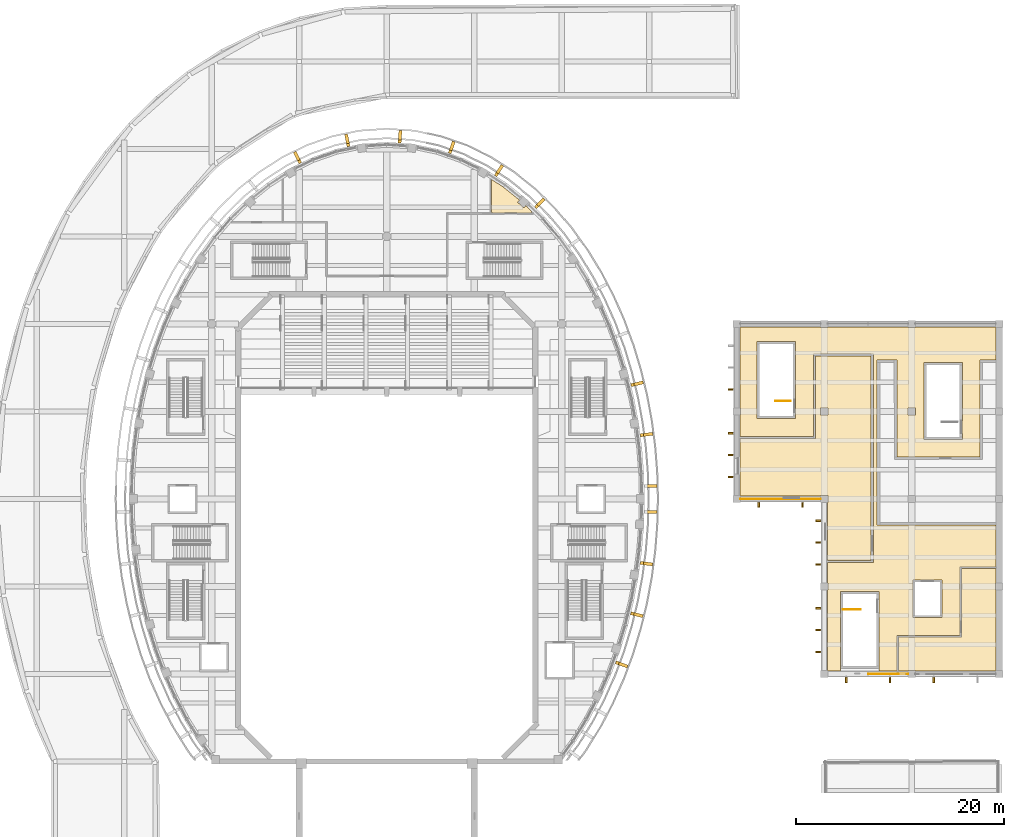
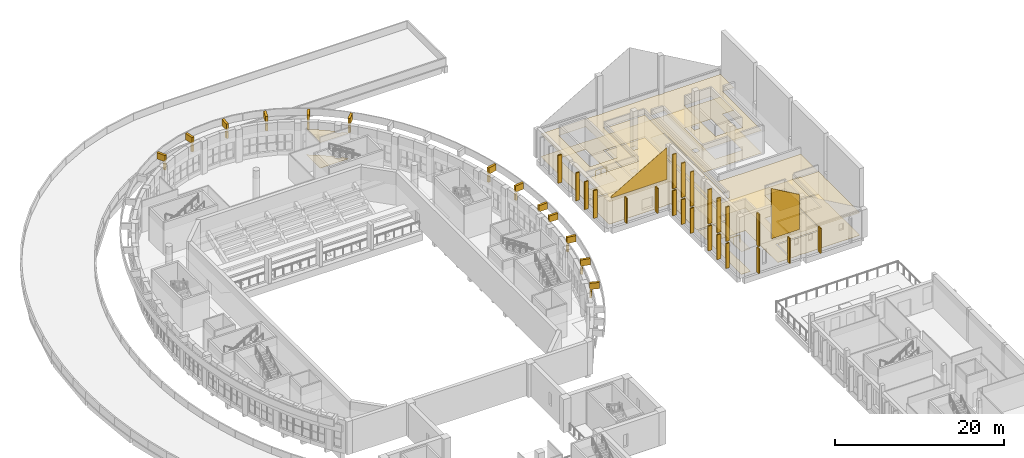
# One storey, part 78 of 79: 56 coverings, 2 railings.
"""IFC4 building model written with IfcOpenShell, lengths in metres."""

from ifc_helpers import new_model, si_unit, direction, frame, origin, origin_2d, place, context, subcontext, project, spatial, polyline, rectangle, circle, outline, extrude, material, layer, layer_set, type_object, element, save


model = new_model("IFC4")

# Units and contexts
model_context = context("Model", 3, precision=1e-05, world=origin(), true_north=direction((0.0, 1.0)))
body_context = subcontext(model_context, "Body", "Model", "MODEL_VIEW")
ifc_project = project(units=[si_unit("LENGTHUNIT", "METRE"), si_unit("AREAUNIT", "SQUARE_METRE"), si_unit("VOLUMEUNIT", "CUBIC_METRE"), si_unit("PLANEANGLEUNIT", "RADIAN"), si_unit("MASSUNIT", "GRAM", prefix="KILO")], contexts=[model_context])

# Site, building, storey
site_placement = place(None, origin())
site = spatial("IfcSite", under=ifc_project, at=site_placement, CompositionType="ELEMENT")
building_placement = place(site_placement, origin())
building = spatial("IfcBuilding", under=site, at=building_placement, Name="Larchfold Concert Hall", CompositionType="ELEMENT")
storey_placement = place(building_placement, frame((0.0, 0.0, 14.39990234375)))
storey = spatial("IfcBuildingStorey", under=building, at=storey_placement, Name="L03", CompositionType="ELEMENT", Elevation=14.39990234375)

# Coverings
ifc_material_1 = material(Name="Acoustic timber lining", Category="wood")
ifc_layer_1 = layer(ifc_material_1, 0.06005859375)
ifc_layer_set_1 = layer_set([ifc_layer_1], Name="Acoustic timber lining")
covering_type_1 = type_object("IfcCoveringType", Name="Ceiling acoustic timber lining 60", PredefinedType="CEILING", material=ifc_layer_set_1)
covering_1_placement = place(storey_placement, frame((0.0, 0.0, 3.240234375)))
element("IfcCovering", 1, at=covering_1_placement, inside=storey, type_object=covering_type_1, Name="Ceiling Ensemble Rehearsal Room", PredefinedType="CEILING", context=body_context, shape_type="SweptSolid", body=[
    extrude(outline(polyline([(83.7509765625, 98.300048828125), (83.7490234375, 90.40087890625), (76.5, 90.40087890625), (76.5, 84.9501953125), (76.550048828125, 84.9501953125), (76.550048828125, 84.900146484375), (84.25, 84.900146484375), (84.25, 84.9501953125), (84.9501953125, 84.9501953125), (84.9501953125, 84.25), (84.900146484375, 84.25), (84.900146484375, 78.7001953125), (89.099853515625, 78.7001953125), (89.099853515625, 98.2978515625), (83.7509765625, 98.300048828125)]), holes=[polyline([(84.25, 92.64990234375), (84.25, 93.35009765625), (84.9501953125, 93.35009765625), (84.9501953125, 92.64990234375), (84.25, 92.64990234375)])]), origin(), (0.0, 0.0, 1.0), 0.06005859375),
])
ifc_material_2 = material(Name="Mineral fibre ceiling tile")
ifc_layer_2 = layer(ifc_material_2, 0.02001953125)
ifc_layer_set_2 = layer_set([ifc_layer_2], Name="Mineral fibre ceiling tile")
covering_type_2 = type_object("IfcCoveringType", Name="Ceiling mineral fibre tile 20", PredefinedType="CEILING", material=ifc_layer_set_2)
covering_2_placement = place(storey_placement, frame((0.0, 0.0, 3.68017578125)))
element("IfcCovering", 2, at=covering_2_placement, inside=storey, type_object=covering_type_2, Name="Ceiling Accessible WC", PredefinedType="CEILING", context=body_context, shape_type="SweptSolid", body=[
    extrude(outline(polyline([(52.60009765625, 112.070068359375), (56.5, 112.0625), (56.5, 112.2119140625), (55.947509765625, 112.752197265625), (55.760498046875, 112.542236328125), (55.1630859375, 113.07421875), (55.34912109375, 113.283203125), (53.78564453125, 114.541748046875), (52.650146484375, 115.273681640625), (52.650146484375, 112.070068359375), (52.60009765625, 112.070068359375)])), origin(), (0.0, 0.0, 1.0), 0.02001953125),
])
covering_3_placement = place(storey_placement, frame((0.0, 0.0, 3.2802734375)))
element("IfcCovering", 3, at=covering_3_placement, inside=storey, type_object=covering_type_2, Name="Ceiling Chamber Hall Store", PredefinedType="CEILING", context=body_context, shape_type="SweptSolid", body=[
    extrude(outline(polyline([(101.099853515625, 76.550048828125), (101.099853515625, 77.925048828125), (97.77490234375, 77.925048828125), (97.77490234375, 71.47509765625), (97.699951171875, 71.474853515625), (97.77490234375, 71.474853515625), (97.77490234375, 71.324951171875), (91.72509765625, 71.324951171875), (91.724853515625, 71.39990234375), (91.724853515625, 68.10009765625), (92.64990234375, 68.10009765625), (92.64990234375, 68.150146484375), (93.35009765625, 68.150146484375), (93.35009765625, 68.10009765625), (101.0498046875, 68.10009765625), (101.0498046875, 68.150146484375), (101.099853515625, 68.150146484375), (101.099853515625, 75.849853515625), (101.0498046875, 75.849853515625), (101.0498046875, 76.550048828125), (101.099853515625, 76.550048828125)])), origin(), (0.0, 0.0, 1.0), 0.02001953125),
])
covering_4_placement = place(storey_placement, frame((0.0, 0.0, 3.2802734375)))
element("IfcCovering", 4, at=covering_4_placement, inside=storey, type_object=covering_type_2, Name="Ceiling Corridor 02", PredefinedType="CEILING", context=body_context, shape_type="SweptSolid", body=[
    extrude(outline(polyline([(83.551025390625, 98.500244140625), (89.300048828125, 98.498046875), (89.300048828125, 78.5), (84.900146484375, 78.5), (84.900146484375, 76.550048828125), (84.9501953125, 76.550048828125), (84.9501953125, 75.849853515625), (84.900146484375, 75.849853515625), (84.900146484375, 68.150146484375), (84.9501953125, 68.150146484375), (84.9501953125, 68.10009765625), (86.14208984375, 68.10009765625), (86.14990234375, 75.699951171875), (89.85009765625, 75.699951171875), (89.857177734375, 68.10009765625), (91.574951171875, 68.10009765625), (91.574951171875, 71.47509765625), (91.724853515625, 71.47509765625), (91.724853515625, 71.3994140625), (91.72509765625, 71.474853515625), (97.698974609375, 71.474853515625), (97.625, 71.47509765625), (97.625, 78.074951171875), (101.099853515625, 78.074951171875), (101.099853515625, 82.074951171875), (89.677001953125, 82.074951171875), (89.675048828125, 97.925048828125), (91.56298828125, 97.925048828125), (91.56591796875, 88.6162109375), (99.523681640625, 88.625732421875), (99.52392578125, 88.500732421875), (99.52392578125, 97.925048828125), (101.099853515625, 97.925048828125), (101.099853515625, 101.0498046875), (101.0498046875, 101.0498046875), (101.0498046875, 101.099853515625), (93.35009765625, 101.099853515625), (93.35009765625, 101.0498046875), (92.64990234375, 101.0498046875), (92.64990234375, 101.099853515625), (84.9501953125, 101.099853515625), (84.9501953125, 101.0498046875), (84.25, 101.0498046875), (84.25, 101.099853515625), (76.550048828125, 101.099853515625), (76.550048828125, 101.0498046875), (76.5, 101.0498046875), (76.5, 93.35009765625), (76.550048828125, 93.35009765625), (76.550048828125, 92.64990234375), (76.5, 92.64990234375), (76.5, 90.60107421875), (83.549072265625, 90.60107421875), (83.551025390625, 98.500244140625)]), holes=[polyline([(94.14990234375, 97.699951171875), (97.85009765625, 97.699951171875), (97.85009765625, 90.300048828125), (94.14990234375, 90.300048828125), (94.14990234375, 97.699951171875)]), polyline([(93.10009765625, 73.199951171875), (93.10009765625, 76.800048828125), (95.89990234375, 76.800048828125), (95.89990234375, 73.199951171875), (93.10009765625, 73.199951171875)]), polyline([(93.35009765625, 93.35009765625), (93.35009765625, 92.64990234375), (92.64990234375, 92.64990234375), (92.64990234375, 93.35009765625), (93.35009765625, 93.35009765625)]), polyline([(78.14990234375, 99.699951171875), (81.85009765625, 99.699951171875), (81.85009765625, 92.300048828125), (78.14990234375, 92.300048828125), (78.14990234375, 99.699951171875)])]), origin(), (0.0, 0.0, 1.0), 0.02001953125),
])
ifc_material_3 = material(Name="Ceramic tile")
ifc_layer_3 = layer(ifc_material_3, 0.030029296875)
ifc_layer_set_3 = layer_set([ifc_layer_3], Name="Ceramic tile")
covering_type_3 = type_object("IfcCoveringType", Name="Floor finish ceramic tile 30", PredefinedType="FLOORING", material=ifc_layer_set_3)
covering_5_placement = place(storey_placement, origin())
element("IfcCovering", 5, at=covering_5_placement, inside=storey, type_object=covering_type_3, Name="Floor finish Accessible WC", PredefinedType="FLOORING", context=body_context, shape_type="SweptSolid", body=[
    extrude(outline(polyline([(52.60009765625, 112.070068359375), (56.5, 112.0625), (56.5, 112.2119140625), (55.947509765625, 112.752197265625), (55.760498046875, 112.542236328125), (55.1630859375, 113.07421875), (55.34912109375, 113.283203125), (53.78564453125, 114.541748046875), (52.650146484375, 115.273681640625), (52.650146484375, 112.070068359375), (52.60009765625, 112.070068359375)])), origin(), (0.0, 0.0, 1.0), 0.030029296875),
])
ifc_material_4 = material(Name="Oak boards on battens")
ifc_layer_4 = layer(ifc_material_4, 0.02490234375)
ifc_layer_set_4 = layer_set([ifc_layer_4], Name="Oak boards on battens")
covering_type_4 = type_object("IfcCoveringType", Name="Floor finish timber boards 25", PredefinedType="FLOORING", material=ifc_layer_set_4)
covering_6_placement = place(storey_placement, origin())
element("IfcCovering", 6, at=covering_6_placement, inside=storey, type_object=covering_type_4, Name="Floor finish Chamber Hall Store", PredefinedType="FLOORING", context=body_context, shape_type="SweptSolid", body=[
    extrude(outline(polyline([(101.099853515625, 76.550048828125), (101.099853515625, 77.925048828125), (97.77490234375, 77.925048828125), (97.77490234375, 71.47509765625), (97.699951171875, 71.474853515625), (97.77490234375, 71.474853515625), (97.77490234375, 71.324951171875), (91.72509765625, 71.324951171875), (91.724853515625, 71.39990234375), (91.724853515625, 68.10009765625), (92.64990234375, 68.10009765625), (92.64990234375, 68.150146484375), (93.35009765625, 68.150146484375), (93.35009765625, 68.10009765625), (101.0498046875, 68.10009765625), (101.0498046875, 68.150146484375), (101.099853515625, 68.150146484375), (101.099853515625, 75.849853515625), (101.0498046875, 75.849853515625), (101.0498046875, 76.550048828125), (101.099853515625, 76.550048828125)])), origin(), (0.0, 0.0, 1.0), 0.02490234375),
])
covering_7_placement = place(storey_placement, origin())
element("IfcCovering", 7, at=covering_7_placement, inside=storey, type_object=covering_type_4, Name="Floor finish Ensemble Rehearsal Room", PredefinedType="FLOORING", context=body_context, shape_type="SweptSolid", body=[
    extrude(outline(polyline([(83.7509765625, 98.300048828125), (83.7490234375, 90.40087890625), (76.5, 90.40087890625), (76.5, 84.9501953125), (76.550048828125, 84.9501953125), (76.550048828125, 84.900146484375), (84.25, 84.900146484375), (84.25, 84.9501953125), (84.9501953125, 84.9501953125), (84.9501953125, 84.25), (84.900146484375, 84.25), (84.900146484375, 78.7001953125), (89.099853515625, 78.7001953125), (89.099853515625, 98.2978515625), (83.7509765625, 98.300048828125)]), holes=[polyline([(84.25, 92.64990234375), (84.25, 93.35009765625), (84.9501953125, 93.35009765625), (84.9501953125, 92.64990234375), (84.25, 92.64990234375)])]), origin(), (0.0, 0.0, 1.0), 0.02490234375),
])
ifc_material_5 = material(Name="Linoleum sheet")
ifc_layer_5 = layer(ifc_material_5, 0.02001953125)
ifc_layer_set_5 = layer_set([ifc_layer_5], Name="Linoleum sheet")
covering_type_5 = type_object("IfcCoveringType", Name="Floor finish vinyl 20", PredefinedType="FLOORING", material=ifc_layer_set_5)
covering_8_placement = place(storey_placement, origin())
element("IfcCovering", 8, at=covering_8_placement, inside=storey, type_object=covering_type_5, Name="Floor finish Corridor 02", PredefinedType="FLOORING", context=body_context, shape_type="SweptSolid", body=[
    extrude(outline(polyline([(83.551025390625, 98.500244140625), (89.300048828125, 98.498046875), (89.300048828125, 78.5), (84.900146484375, 78.5), (84.900146484375, 76.550048828125), (84.9501953125, 76.550048828125), (84.9501953125, 75.849853515625), (84.900146484375, 75.849853515625), (84.900146484375, 68.150146484375), (84.9501953125, 68.150146484375), (84.9501953125, 68.10009765625), (86.14208984375, 68.10009765625), (86.14990234375, 75.699951171875), (89.85009765625, 75.699951171875), (89.857177734375, 68.10009765625), (91.574951171875, 68.10009765625), (91.574951171875, 71.47509765625), (91.724853515625, 71.47509765625), (91.724853515625, 71.3994140625), (91.72509765625, 71.474853515625), (97.698974609375, 71.474853515625), (97.625, 71.47509765625), (97.625, 78.074951171875), (101.099853515625, 78.074951171875), (101.099853515625, 82.074951171875), (89.677001953125, 82.074951171875), (89.675048828125, 97.925048828125), (91.56298828125, 97.925048828125), (91.56591796875, 88.6162109375), (99.523681640625, 88.625732421875), (99.52392578125, 88.500732421875), (99.52392578125, 97.925048828125), (101.099853515625, 97.925048828125), (101.099853515625, 101.0498046875), (101.0498046875, 101.0498046875), (101.0498046875, 101.099853515625), (93.35009765625, 101.099853515625), (93.35009765625, 101.0498046875), (92.64990234375, 101.0498046875), (92.64990234375, 101.099853515625), (84.9501953125, 101.099853515625), (84.9501953125, 101.0498046875), (84.25, 101.0498046875), (84.25, 101.099853515625), (76.550048828125, 101.099853515625), (76.550048828125, 101.0498046875), (76.5, 101.0498046875), (76.5, 93.35009765625), (76.550048828125, 93.35009765625), (76.550048828125, 92.64990234375), (76.5, 92.64990234375), (76.5, 90.60107421875), (83.549072265625, 90.60107421875), (83.551025390625, 98.500244140625)]), holes=[polyline([(94.14990234375, 97.699951171875), (97.85009765625, 97.699951171875), (97.85009765625, 90.300048828125), (94.14990234375, 90.300048828125), (94.14990234375, 97.699951171875)]), polyline([(93.10009765625, 73.199951171875), (93.10009765625, 76.800048828125), (95.89990234375, 76.800048828125), (95.89990234375, 73.199951171875), (93.10009765625, 73.199951171875)]), polyline([(93.35009765625, 93.35009765625), (93.35009765625, 92.64990234375), (92.64990234375, 92.64990234375), (92.64990234375, 93.35009765625), (93.35009765625, 93.35009765625)]), polyline([(78.14990234375, 99.699951171875), (81.85009765625, 99.699951171875), (81.85009765625, 92.300048828125), (78.14990234375, 92.300048828125), (78.14990234375, 99.699951171875)])]), origin(), (0.0, 0.0, 1.0), 0.02001953125),
])
ifc_material_6 = material(Name="Charred larch cladding", Category="timber")
ifc_layer_6 = layer(ifc_material_6, 0.030029296875)
ifc_layer_set_6 = layer_set([ifc_layer_6], Name="Charred larch cladding")
covering_type_6 = type_object("IfcCoveringType", Name="Gable closure panel 30", PredefinedType="CLADDING", material=ifc_layer_set_6)
covering_9_placement = place(storey_placement, frame((88.800048828125, 67.77001953125, 4.0146484375), z_axis=(0.0, -1.0, 0.0), x_axis=(1.0, 0.0, 0.0)))
element("IfcCovering", 9, at=covering_9_placement, inside=storey, type_object=covering_type_6, Name="Gable closure panel RG008", PredefinedType="CLADDING", context=body_context, shape_type="SweptSolid", body=[
    extrude(outline(polyline([(0.0, 0.0), (3.849853515625, 0.0), (3.849853515625, 5.061767578125), (0.0, 7.28466796875), (0.0, 0.0)])), origin(), (0.0, 0.0, -1.0), 0.030029296875),
])
covering_10_placement = place(storey_placement, frame((76.550048828125, 84.570068359375, 4.0146484375), z_axis=(0.0, -1.0, 0.0), x_axis=(1.0, 0.0, 0.0)))
element("IfcCovering", 10, at=covering_10_placement, inside=storey, type_object=covering_type_6, Name="Gable closure panel RG012", PredefinedType="CLADDING", context=body_context, shape_type="SweptSolid", body=[
    extrude(outline(polyline([(0.0, 0.0), (7.699951171875, 0.0), (7.699951171875, 4.65771484375), (0.0, 0.212158203125), (0.0, 0.0)])), origin(), (0.0, 0.0, -1.0), 0.030029296875),
])
ifc_material_7 = material(Name="Glulam GL30c", Category="wood")
ifc_layer_7 = layer(ifc_material_7, 0.159912109375)
ifc_layer_set_7 = layer_set([ifc_layer_7], Name="Glulam GL30c")
covering_type_7 = type_object("IfcCoveringType", Name="Glulam fin 160x500", PredefinedType="CLADDING", material=ifc_layer_set_7)
covering_11_placement = place(storey_placement, frame((0.0, 0.0, 0.199951171875)))
element("IfcCovering", 11, at=covering_11_placement, inside=storey, type_object=covering_type_7, Name="Glulam fin FN-L03-026", PredefinedType="CLADDING", context=body_context, shape_type="SweptSolid", body=[
    extrude(outline(polyline([(75.875, 95.02001953125), (75.875, 95.179931640625), (75.375, 95.179931640625), (75.375, 95.02001953125), (75.875, 95.02001953125)])), origin(), (0.0, 0.0, 1.0), 4.024658203125),
])
covering_12_placement = place(storey_placement, frame((0.0, 0.0, 0.199951171875)))
element("IfcCovering", 12, at=covering_12_placement, inside=storey, type_object=covering_type_7, Name="Glulam fin FN-L03-029", PredefinedType="CLADDING", context=body_context, shape_type="SweptSolid", body=[
    extrude(outline(polyline([(75.875, 86.6201171875), (75.875, 86.780029296875), (75.375, 86.780029296875), (75.375, 86.6201171875), (75.875, 86.6201171875)])), origin(), (0.0, 0.0, 1.0), 4.024658203125),
])
covering_13_placement = place(storey_placement, frame((0.0, 0.0, 0.199951171875)))
element("IfcCovering", 13, at=covering_13_placement, inside=storey, type_object=covering_type_7, Name="Glulam fin FN-L03-030", PredefinedType="CLADDING", context=body_context, shape_type="SweptSolid", body=[
    extrude(outline(polyline([(75.875, 88.719970703125), (75.875, 88.8798828125), (75.375, 88.8798828125), (75.375, 88.719970703125), (75.875, 88.719970703125)])), origin(), (0.0, 0.0, 1.0), 4.024658203125),
])
covering_14_placement = place(storey_placement, frame((0.0, 0.0, 0.199951171875)))
element("IfcCovering", 14, at=covering_14_placement, inside=storey, type_object=covering_type_7, Name="Glulam fin FN-L03-031", PredefinedType="CLADDING", context=body_context, shape_type="SweptSolid", body=[
    extrude(outline(polyline([(75.875, 90.820068359375), (75.875, 90.97998046875), (75.375, 90.97998046875), (75.375, 90.820068359375), (75.875, 90.820068359375)])), origin(), (0.0, 0.0, 1.0), 4.024658203125),
])
covering_15_placement = place(storey_placement, frame((0.0, 0.0, 0.199951171875)))
element("IfcCovering", 15, at=covering_15_placement, inside=storey, type_object=covering_type_7, Name="Glulam fin FN-L03-032", PredefinedType="CLADDING", context=body_context, shape_type="SweptSolid", body=[
    extrude(outline(polyline([(78.3798828125, 83.775146484375), (78.3798828125, 84.275146484375), (78.219970703125, 84.275146484375), (78.219970703125, 83.775146484375), (78.3798828125, 83.775146484375)])), origin(), (0.0, 0.0, 1.0), 3.60009765625),
])
covering_16_placement = place(storey_placement, frame((0.0, 0.0, 0.199951171875)))
element("IfcCovering", 16, at=covering_16_placement, inside=storey, type_object=covering_type_7, Name="Glulam fin FN-L03-033", PredefinedType="CLADDING", context=body_context, shape_type="SweptSolid", body=[
    extrude(outline(polyline([(82.580078125, 83.775146484375), (82.580078125, 84.275146484375), (82.419921875, 84.275146484375), (82.419921875, 83.775146484375), (82.580078125, 83.775146484375)])), origin(), (0.0, 0.0, 1.0), 3.60009765625),
])
covering_17_placement = place(storey_placement, frame((0.0, 0.0, 0.199951171875)))
element("IfcCovering", 17, at=covering_17_placement, inside=storey, type_object=covering_type_7, Name="Glulam fin FN-L03-034", PredefinedType="CLADDING", context=body_context, shape_type="SweptSolid", body=[
    extrude(outline(polyline([(84.275146484375, 78.219970703125), (84.275146484375, 78.3798828125), (83.775146484375, 78.3798828125), (83.775146484375, 78.219970703125), (84.275146484375, 78.219970703125)])), origin(), (0.0, 0.0, 1.0), 3.60009765625),
])
covering_18_placement = place(storey_placement, frame((0.0, 0.0, 0.199951171875)))
element("IfcCovering", 18, at=covering_18_placement, inside=storey, type_object=covering_type_7, Name="Glulam fin FN-L03-035", PredefinedType="CLADDING", context=body_context, shape_type="SweptSolid", body=[
    extrude(outline(polyline([(84.275146484375, 80.320068359375), (84.275146484375, 80.47998046875), (83.775146484375, 80.47998046875), (83.775146484375, 80.320068359375), (84.275146484375, 80.320068359375)])), origin(), (0.0, 0.0, 1.0), 3.60009765625),
])
covering_19_placement = place(storey_placement, frame((0.0, 0.0, 0.199951171875)))
element("IfcCovering", 19, at=covering_19_placement, inside=storey, type_object=covering_type_7, Name="Glulam fin FN-L03-036", PredefinedType="CLADDING", context=body_context, shape_type="SweptSolid", body=[
    extrude(outline(polyline([(84.275146484375, 82.419921875), (84.275146484375, 82.580078125), (83.775146484375, 82.580078125), (83.775146484375, 82.419921875), (84.275146484375, 82.419921875)])), origin(), (0.0, 0.0, 1.0), 3.60009765625),
])
covering_20_placement = place(storey_placement, frame((0.0, 0.0, 0.199951171875)))
element("IfcCovering", 20, at=covering_20_placement, inside=storey, type_object=covering_type_7, Name="Glulam fin FN-L03-037", PredefinedType="CLADDING", context=body_context, shape_type="SweptSolid", body=[
    extrude(outline(polyline([(84.275146484375, 69.820068359375), (84.275146484375, 69.97998046875), (83.775146484375, 69.97998046875), (83.775146484375, 69.820068359375), (84.275146484375, 69.820068359375)])), origin(), (0.0, 0.0, 1.0), 3.60009765625),
])
covering_21_placement = place(storey_placement, frame((0.0, 0.0, 0.199951171875)))
element("IfcCovering", 21, at=covering_21_placement, inside=storey, type_object=covering_type_7, Name="Glulam fin FN-L03-038", PredefinedType="CLADDING", context=body_context, shape_type="SweptSolid", body=[
    extrude(outline(polyline([(84.275146484375, 71.919921875), (84.275146484375, 72.080078125), (83.775146484375, 72.080078125), (83.775146484375, 71.919921875), (84.275146484375, 71.919921875)])), origin(), (0.0, 0.0, 1.0), 3.60009765625),
])
covering_22_placement = place(storey_placement, frame((0.0, 0.0, 0.199951171875)))
element("IfcCovering", 22, at=covering_22_placement, inside=storey, type_object=covering_type_7, Name="Glulam fin FN-L03-039", PredefinedType="CLADDING", context=body_context, shape_type="SweptSolid", body=[
    extrude(outline(polyline([(84.275146484375, 74.02001953125), (84.275146484375, 74.179931640625), (83.775146484375, 74.179931640625), (83.775146484375, 74.02001953125), (84.275146484375, 74.02001953125)])), origin(), (0.0, 0.0, 1.0), 3.60009765625),
])
covering_23_placement = place(storey_placement, frame((0.0, 0.0, 0.199951171875)))
element("IfcCovering", 23, at=covering_23_placement, inside=storey, type_object=covering_type_7, Name="Glulam fin FN-L03-040", PredefinedType="CLADDING", context=body_context, shape_type="SweptSolid", body=[
    extrude(outline(polyline([(86.780029296875, 66.97509765625), (86.780029296875, 67.47509765625), (86.6201171875, 67.47509765625), (86.6201171875, 66.97509765625), (86.780029296875, 66.97509765625)])), origin(), (0.0, 0.0, 1.0), 3.60009765625),
])
covering_24_placement = place(storey_placement, frame((0.0, 0.0, 0.199951171875)))
element("IfcCovering", 24, at=covering_24_placement, inside=storey, type_object=covering_type_7, Name="Glulam fin FN-L03-041", PredefinedType="CLADDING", context=body_context, shape_type="SweptSolid", body=[
    extrude(outline(polyline([(90.97998046875, 66.97509765625), (90.97998046875, 67.47509765625), (90.820068359375, 67.47509765625), (90.820068359375, 66.97509765625), (90.97998046875, 66.97509765625)])), origin(), (0.0, 0.0, 1.0), 3.60009765625),
])
covering_25_placement = place(storey_placement, frame((0.0, 0.0, 0.199951171875)))
element("IfcCovering", 25, at=covering_25_placement, inside=storey, type_object=covering_type_7, Name="Glulam fin FN-L03-042", PredefinedType="CLADDING", context=body_context, shape_type="SweptSolid", body=[
    extrude(outline(polyline([(95.179931640625, 66.97509765625), (95.179931640625, 67.47509765625), (95.02001953125, 67.47509765625), (95.02001953125, 66.97509765625), (95.179931640625, 66.97509765625)])), origin(), (0.0, 0.0, 1.0), 3.60009765625),
])
covering_26_placement = place(storey_placement, frame((0.0, 0.0, 4.10009765625)))
element("IfcCovering", 26, at=covering_26_placement, inside=storey, type_object=covering_type_7, Name="Glulam fin FN-L03-057", PredefinedType="CLADDING", context=body_context, shape_type="SweptSolid", body=[
    extrude(outline(polyline([(86.780029296875, 66.97509765625), (86.780029296875, 67.47509765625), (86.6201171875, 67.47509765625), (86.6201171875, 66.97509765625), (86.780029296875, 66.97509765625)])), origin(), (0.0, 0.0, 1.0), 4.6640625),
])
covering_27_placement = place(storey_placement, frame((0.0, 0.0, 4.10009765625)))
element("IfcCovering", 27, at=covering_27_placement, inside=storey, type_object=covering_type_7, Name="Glulam fin FN-L03-058", PredefinedType="CLADDING", context=body_context, shape_type="SweptSolid", body=[
    extrude(outline(polyline([(84.275146484375, 69.820068359375), (84.275146484375, 69.97998046875), (83.775146484375, 69.97998046875), (83.775146484375, 69.820068359375), (84.275146484375, 69.820068359375)])), origin(), (0.0, 0.0, 1.0), 4.964111328125),
])
covering_28_placement = place(storey_placement, frame((0.0, 0.0, 4.10009765625)))
element("IfcCovering", 28, at=covering_28_placement, inside=storey, type_object=covering_type_7, Name="Glulam fin FN-L03-059", PredefinedType="CLADDING", context=body_context, shape_type="SweptSolid", body=[
    extrude(outline(polyline([(84.275146484375, 71.919921875), (84.275146484375, 72.080078125), (83.775146484375, 72.080078125), (83.775146484375, 71.919921875), (84.275146484375, 71.919921875)])), origin(), (0.0, 0.0, 1.0), 4.964111328125),
])
covering_29_placement = place(storey_placement, frame((0.0, 0.0, 4.10009765625)))
element("IfcCovering", 29, at=covering_29_placement, inside=storey, type_object=covering_type_7, Name="Glulam fin FN-L03-060", PredefinedType="CLADDING", context=body_context, shape_type="SweptSolid", body=[
    extrude(outline(polyline([(84.275146484375, 74.02001953125), (84.275146484375, 74.179931640625), (83.775146484375, 74.179931640625), (83.775146484375, 74.02001953125), (84.275146484375, 74.02001953125)])), origin(), (0.0, 0.0, 1.0), 4.964111328125),
])
covering_30_placement = place(storey_placement, frame((0.0, 0.0, 4.10009765625)))
element("IfcCovering", 30, at=covering_30_placement, inside=storey, type_object=covering_type_7, Name="Glulam fin FN-L03-061", PredefinedType="CLADDING", context=body_context, shape_type="SweptSolid", body=[
    extrude(outline(polyline([(84.275146484375, 78.219970703125), (84.275146484375, 78.3798828125), (83.775146484375, 78.3798828125), (83.775146484375, 78.219970703125), (84.275146484375, 78.219970703125)])), origin(), (0.0, 0.0, 1.0), 4.964111328125),
])
covering_31_placement = place(storey_placement, frame((0.0, 0.0, 4.10009765625)))
element("IfcCovering", 31, at=covering_31_placement, inside=storey, type_object=covering_type_7, Name="Glulam fin FN-L03-062", PredefinedType="CLADDING", context=body_context, shape_type="SweptSolid", body=[
    extrude(outline(polyline([(84.275146484375, 80.320068359375), (84.275146484375, 80.47998046875), (83.775146484375, 80.47998046875), (83.775146484375, 80.320068359375), (84.275146484375, 80.320068359375)])), origin(), (0.0, 0.0, 1.0), 4.964111328125),
])
covering_32_placement = place(storey_placement, frame((0.0, 0.0, 4.10009765625)))
element("IfcCovering", 32, at=covering_32_placement, inside=storey, type_object=covering_type_7, Name="Glulam fin FN-L03-063", PredefinedType="CLADDING", context=body_context, shape_type="SweptSolid", body=[
    extrude(outline(polyline([(84.275146484375, 82.419921875), (84.275146484375, 82.580078125), (83.775146484375, 82.580078125), (83.775146484375, 82.419921875), (84.275146484375, 82.419921875)])), origin(), (0.0, 0.0, 1.0), 4.964111328125),
])
ifc_material_8 = material(Name="Galvanised steel bracket", Category="steel")
ifc_layer_8 = layer(ifc_material_8, 0.300048828125)
ifc_layer_set_8 = layer_set([ifc_layer_8], Name="Galvanised steel bracket")
covering_type_8 = type_object("IfcCoveringType", Name="Ring support bracket", PredefinedType="CLADDING", material=ifc_layer_set_8)
for number, where, z_axis, x_axis, name in (
    (33, (67.08740234375, 90.71826171875, 3.35009765625), (0.0, 0.0, 1.0), (0.991554174709, 0.129693171048, 0.0), "Ring bracket BR-R06-02"),
    (34, (66.190673828125, 95.543212890625, 3.35009765625), (0.0, 0.0, 1.0), (0.971762851638, 0.235959657944, 0.0), "Ring bracket BR-R06-03"),
    (35, (56.976806640625, 112.65478515625, 3.35009765625), (0.0, 0.0, 1.0), (0.69916054139, 0.714964710572, 0.0), "Ring bracket BR-R06-07"),
    (36, (53.1259765625, 115.739990234375, 3.35009765625), (0.0, 0.0, 1.0), (0.541810395078, 0.840500741098, 0.0), "Ring bracket BR-R06-08"),
    (37, (48.68798828125, 117.916748046875, 3.35009765625), (0.0, 0.0, 1.0), (0.328920226358, 0.944357710136, 0.0), "Ring bracket BR-R06-09"),
    (38, (43.8408203125, 118.91552734375, 3.35009765625), (0.0, 0.0, 1.0), (0.068693386901, 0.997637819349, 0.0), "Ring bracket BR-R06-10"),
    (39, (38.90185546875, 118.57763671875, 3.35009765625), (0.0, 0.0, 1.0), (-0.203080334215, 0.979162079461, 0.0), "Ring bracket BR-R06-11"),
    (40, (34.227294921875, 116.959716796875, 3.35009765625), (0.0, 0.0, 1.0), (-0.44236895234, 0.89683315617, 0.0), "Ring bracket BR-R06-12"),
    (41, (64.72607421875, 68.86669921875, 3.35009765625), (0.0, 0.0, 1.0), (0.937177411386, -0.348853120364, 0.0), "Ring bracket BR-R06-30"),
    (42, (66.174072265625, 73.590087890625, 3.35009765625), (0.0, 0.0, 1.0), (0.971411707345, -0.237401126438, 0.0), "Ring bracket BR-R06-31"),
    (43, (67.082275390625, 78.44384765625, 3.35009765625), (0.0, 0.0, 1.0), (0.991449907596, -0.130487856632, 0.0), "Ring bracket BR-R06-32"),
):
    element("IfcCovering", number, at=place(storey_placement, frame(where, z_axis=z_axis, x_axis=x_axis)), inside=storey, type_object=covering_type_8, Name=name, PredefinedType="CLADDING", context=body_context, shape_type="SweptSolid", body=[
        extrude(rectangle(XDim=0.300048828125, YDim=0.300048828125, at=origin_2d()), origin(), (0.0, 0.0, 1.0), 0.89990234375),
    ])
for number, where, z_axis, x_axis, name in (
    (44, (67.91845703125, 85.838623046875, 4.550048828125), (0.0, 0.0, 1.0), (0.999668605926, 0.025742539211, 0.0), "Ring bracket BR-R07-01"),
    (45, (67.53369140625, 90.776611328125, 4.550048828125), (0.0, 0.0, 1.0), (0.991554174709, 0.129693171048, 0.0), "Ring bracket BR-R07-02"),
    (46, (66.6279296875, 95.6494140625, 4.550048828125), (0.0, 0.0, 1.0), (0.971762851638, 0.235959657944, 0.0), "Ring bracket BR-R07-03"),
    (47, (57.29150390625, 112.9765625, 4.550048828125), (0.0, 0.0, 1.0), (0.69916054139, 0.714964710572, 0.0), "Ring bracket BR-R07-07"),
    (48, (53.369873046875, 116.118408203125, 4.550048828125), (0.0, 0.0, 1.0), (0.541810395078, 0.840500741098, 0.0), "Ring bracket BR-R07-08"),
    (49, (48.8359375, 118.341796875, 4.550048828125), (0.0, 0.0, 1.0), (0.328920226358, 0.944357710136, 0.0), "Ring bracket BR-R07-09"),
    (50, (43.87158203125, 119.364501953125, 4.550048828125), (0.0, 0.0, 1.0), (0.068693386901, 0.997637819349, 0.0), "Ring bracket BR-R07-10"),
    (51, (38.810302734375, 119.018310546875, 4.550048828125), (0.0, 0.0, 1.0), (-0.203080334215, 0.979162079461, 0.0), "Ring bracket BR-R07-11"),
    (52, (34.0283203125, 117.36328125, 4.550048828125), (0.0, 0.0, 1.0), (-0.44236895234, 0.89683315617, 0.0), "Ring bracket BR-R07-12"),
    (53, (65.14794921875, 68.709716796875, 4.550048828125), (0.0, 0.0, 1.0), (0.937177411386, -0.348853120364, 0.0), "Ring bracket BR-R07-30"),
    (54, (66.611328125, 73.4833984375, 4.550048828125), (0.0, 0.0, 1.0), (0.971411707345, -0.237401126438, 0.0), "Ring bracket BR-R07-31"),
    (55, (67.528564453125, 78.38525390625, 4.550048828125), (0.0, 0.0, 1.0), (0.991449907596, -0.130487856632, 0.0), "Ring bracket BR-R07-32"),
    (56, (67.91796875, 83.35400390625, 4.550048828125), (0.0, 0.0, 1.0), (0.999665014874, -0.025881615792, 0.0), "Ring bracket BR-R07-33"),
):
    element("IfcCovering", number, at=place(storey_placement, frame(where, z_axis=z_axis, x_axis=x_axis)), inside=storey, type_object=covering_type_8, Name=name, PredefinedType="CLADDING", context=body_context, shape_type="SweptSolid", body=[
        extrude(rectangle(XDim=1.199951171875, YDim=0.300048828125, at=origin_2d()), origin(), (0.0, 0.0, 1.0), 0.89990234375),
    ])

# Railings
ifc_material_9 = material(Name="Stainless steel balustrade", Category="steel")
railing_type = type_object("IfcRailingType", Name="Stair guard 1100", PredefinedType="GUARDRAIL", material=ifc_material_9)
railing_1_placement = place(storey_placement, frame((86.39990234375, 74.0, 0.0)))
element("IfcRailing", 57, at=railing_1_placement, inside=storey, type_object=railing_type, Name="Guard GR0065", PredefinedType="GUARDRAIL", context=body_context, shape_type="SweptSolid", body=[
    extrude(circle(Radius=0.02392578125, at=origin_2d()), frame((0.0, 0.0, 1.076171875), z_axis=(1.0, 0.0, 0.0), x_axis=(0.0, 1.0, 0.0)), (0.0, 0.0, 1.0), 1.699951171875),
    extrude(circle(Radius=0.02099609375, at=origin_2d()), origin(), (0.0, 0.0, 1.0), 1.052001953125),
    extrude(circle(Radius=0.02099609375, at=origin_2d()), frame((0.85009765625, 0.0, 0.0)), (0.0, 0.0, 1.0), 1.052001953125),
    extrude(circle(Radius=0.02099609375, at=origin_2d()), frame((1.699951171875, 0.0, 0.0)), (0.0, 0.0, 1.0), 1.052001953125),
])
railing_2_placement = place(storey_placement, frame((81.375, 94.0, 0.0)))
element("IfcRailing", 58, at=railing_2_placement, inside=storey, type_object=railing_type, Name="Guard GR0066", PredefinedType="GUARDRAIL", context=body_context, shape_type="SweptSolid", body=[
    extrude(circle(Radius=0.02392578125, at=origin_2d()), frame((0.0, 0.0, 1.076171875), z_axis=(-1.0, 0.0, 0.0), x_axis=(0.0, -1.0, 0.0)), (0.0, 0.0, 1.0), 1.474853515625),
    extrude(circle(Radius=0.02099609375, at=origin_2d()), origin(), (0.0, 0.0, 1.0), 1.052001953125),
    extrude(circle(Radius=0.02099609375, at=origin_2d()), frame((-0.7373046875, 0.0, 0.0)), (0.0, 0.0, 1.0), 1.052001953125),
    extrude(circle(Radius=0.02099609375, at=origin_2d()), frame((-1.474853515625, 0.0, 0.0)), (0.0, 0.0, 1.0), 1.052001953125),
])

save(model, "model.ifc")
